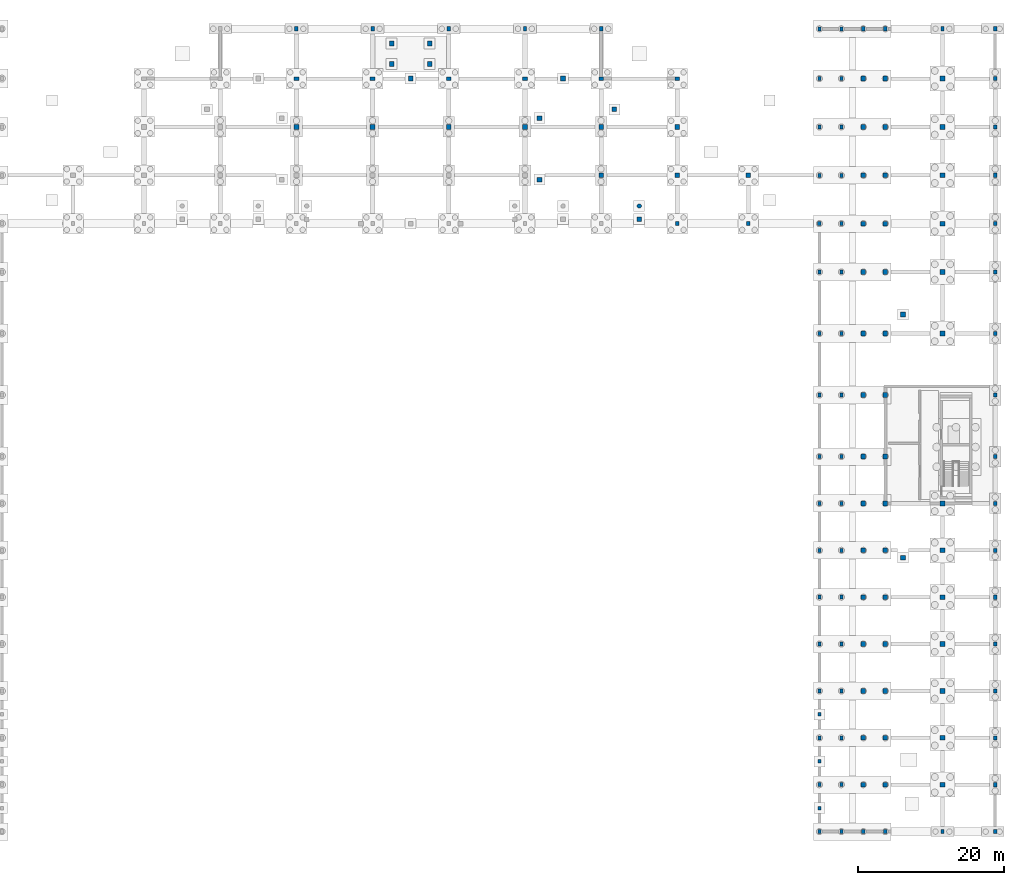
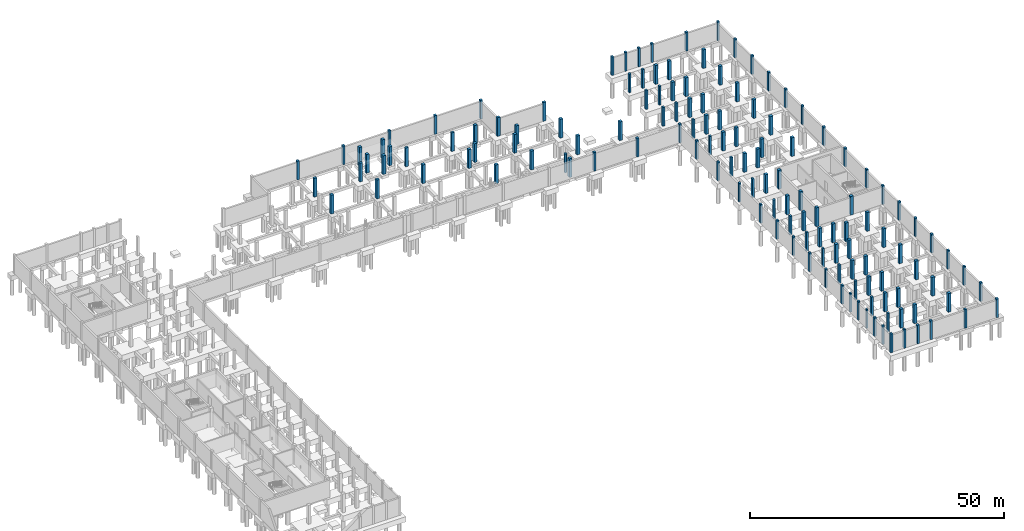
# One storey, part 9 of 21: 138 columns.
"""IFC4 building model written with IfcOpenShell, lengths in metres."""

import ifcopenshell
import ifcopenshell.guid

model = None  # the IFC model being written
_history = None  # IfcOwnerHistory: only IFC2X3 demands one
_inside = {}  # id of a spatial element -> (the spatial element, [elements in it])
_under = {}  # id of a project, library or spatial element -> (it, [spatial elements below it])
_declared = {}  # id of a project -> (the project, [libraries it declares])
_typed = {}  # id of a type object -> (the type object, [elements of that type])
_made_of = {}  # id of a material, layer set ... -> (it, [elements and type objects made of it])


def new_model(schema):
    """Start an empty IFC model of exactly this schema.

    Asked for "IFC4X3", IfcOpenShell would pick the latest addendum, in which some entities
    have other attributes; the version numbers below select the first issue.
    IFC2X3 requires an IfcOwnerHistory on every rooted entity: one is made here for all.
    """
    global model, _history
    if schema == "IFC4X3":
        model = ifcopenshell.file(schema_version=(4, 3, 0, 0))
    else:
        model = ifcopenshell.file(schema=schema)
    _inside.clear()
    _under.clear()
    _declared.clear()
    _typed.clear()
    _made_of.clear()
    _history = None
    if model.schema == "IFC2X3":
        org = make("IfcOrganization", Name="unknown")
        user = make(
            "IfcPersonAndOrganization",
            ThePerson=make("IfcPerson", FamilyName="unknown"),
            TheOrganization=org,
        )
        app = make(
            "IfcApplication",
            ApplicationDeveloper=org,
            Version="unknown",
            ApplicationFullName="unknown",
            ApplicationIdentifier="unknown",
        )
        _history = make(
            "IfcOwnerHistory",
            OwningUser=user,
            OwningApplication=app,
            ChangeAction="ADDED",
            CreationDate=0,
        )
    return model


def make(cls, **values):
    """One entity of the class cls with the attributes given. An attribute that is None is left unset."""
    return model.create_entity(
        cls, **{name: value for name, value in values.items() if value is not None}
    )


def rooted(cls, **values):
    """An entity with a GlobalId (a new one), such as an element, a storey or a relation."""
    return make(cls, GlobalId=ifcopenshell.guid.new(), OwnerHistory=_history, **values)


def si_unit(unit_type, name, prefix=None):
    """IfcSIUnit, for example si_unit("LENGTHUNIT", "METRE", prefix="MILLI")."""
    return make("IfcSIUnit", UnitType=unit_type, Prefix=prefix, Name=name)


def derived_unit(unit_type, elements):
    """IfcDerivedUnit: a product of units, each with its exponent."""
    return make(
        "IfcDerivedUnit",
        Elements=[
            make("IfcDerivedUnitElement", Unit=unit, Exponent=power)
            for unit, power in elements
        ],
        UnitType=unit_type,
    )


def assignment(units):
    """IfcUnitAssignment: the units of a project."""
    return None if units is None else make("IfcUnitAssignment", Units=units)


def point(xyz):
    """IfcCartesianPoint."""
    return None if xyz is None else make("IfcCartesianPoint", Coordinates=xyz)


def direction(xyz):
    """IfcDirection."""
    return None if xyz is None else make("IfcDirection", DirectionRatios=xyz)


def frame(location, z_axis=None, x_axis=None):
    """IfcAxis2Placement3D, a coordinate frame: its origin and axes. An axis left out is left unset."""
    return make(
        "IfcAxis2Placement3D",
        Location=point(location),
        Axis=direction(z_axis),
        RefDirection=direction(x_axis),
    )


def frame_2d(location, x_axis=None):
    """IfcAxis2Placement2D, a coordinate frame in the plane: its origin and x axis."""
    return make(
        "IfcAxis2Placement2D", Location=point(location), RefDirection=direction(x_axis)
    )


def origin():
    """The frame at (0, 0, 0) with its axes left unset."""
    return frame((0.0, 0.0, 0.0))


def origin_2d():
    """The frame at (0, 0) in the plane with its x axis left unset."""
    return frame_2d((0.0, 0.0))


def place(relative_to, where):
    """IfcLocalPlacement: puts the frame where relative to a parent placement (None: the world)."""
    return make(
        "IfcLocalPlacement", PlacementRelTo=relative_to, RelativePlacement=where
    )


def context(
    kind, dimensions, precision=None, world=None, true_north=None, identifier=None
):
    """IfcGeometricRepresentationContext, for example the 3D "Model" context."""
    return make(
        "IfcGeometricRepresentationContext",
        ContextIdentifier=identifier,
        ContextType=kind,
        CoordinateSpaceDimension=dimensions,
        Precision=precision,
        WorldCoordinateSystem=world,
        TrueNorth=true_north,
    )


def subcontext(parent, identifier, kind, view, scale=None):
    """IfcGeometricRepresentationSubContext, for example "Body" below "Model"."""
    return make(
        "IfcGeometricRepresentationSubContext",
        ContextIdentifier=identifier,
        ContextType=kind,
        ParentContext=parent,
        TargetScale=scale,
        TargetView=view,
    )


def project(units=None, contexts=None):
    """IfcProject with its units and contexts."""
    return rooted(
        "IfcProject",
        Name="project",
        RepresentationContexts=contexts,
        UnitsInContext=assignment(units),
    )


def spatial(cls, under=None, at=None, **own):
    """A site, building, storey or space (cls), placed at a placement, below another one or the project."""
    s = rooted(cls, ObjectPlacement=at, **own)
    if under is not None:
        _under.setdefault(under.id(), (under, []))[1].append(s)
    return s


def profile(cls, at=None, kind="AREA", **sizes):
    """A parametric profile (cls). Its sizes go by their IFC names, for example OverallWidth=200.0."""
    return make(cls, ProfileType=kind, Position=at, **sizes)


def rectangle(**sizes):
    """IfcRectangleProfileDef."""
    return profile("IfcRectangleProfileDef", **sizes)


def circle(**sizes):
    """IfcCircleProfileDef."""
    return profile("IfcCircleProfileDef", **sizes)


def extrude(swept, where, along, depth):
    """IfcExtrudedAreaSolid: the profile swept, set in the frame where, extruded along a direction by depth."""
    return make(
        "IfcExtrudedAreaSolid",
        SweptArea=swept,
        Position=where,
        ExtrudedDirection=direction(along),
        Depth=depth,
    )


def shape(context_of_items, identifier, shape_type, items):
    """IfcShapeRepresentation: the items that make up one representation, for example the "Body"."""
    return make(
        "IfcShapeRepresentation",
        ContextOfItems=context_of_items,
        RepresentationIdentifier=identifier,
        RepresentationType=shape_type,
        Items=items,
    )


def material(Name=None, Category=None):
    """IfcMaterial."""
    return make("IfcMaterial", Name=Name, Category=Category)


def material_profile(
    of_material, cross_section, Name=None, Category=None, Priority=None
):
    """IfcMaterialProfile: a cross section and its material."""
    return make(
        "IfcMaterialProfile",
        Name=Name,
        Material=of_material,
        Profile=cross_section,
        Priority=Priority,
        Category=Category,
    )


def profile_set(profiles, Name=None, composite=None):
    """IfcMaterialProfileSet."""
    return make(
        "IfcMaterialProfileSet",
        Name=Name,
        MaterialProfiles=profiles,
        CompositeProfile=composite,
    )


def made_of(thing, what):
    """Note that an element or type object is made of a material, layer set ...; save() writes the relation."""
    if what is not None:
        _made_of.setdefault(what.id(), (what, []))[1].append(thing)
    return thing


def type_object(cls, material=None, **own):
    """A type object (cls), such as IfcWallType, which elements share."""
    return made_of(rooted(cls, **own), material)


def element(
    cls,
    number,
    at=None,
    inside=None,
    cuts=None,
    type_object=None,
    material=None,
    context=None,
    identifier="Body",
    shape_type=None,
    held_by="IfcProductDefinitionShape",
    body=None,
    shapes=None,
    **own,
):
    """One element of the class cls, such as IfcWall. Its Tag is "e" and its number.

    at: its placement. inside: the storey or other place that contains it. cuts: it is an
    opening in that element (IfcRelVoidsElement). A single representation is given by context,
    identifier, shape_type and body (its items); several are given by shapes. held_by: the class
    of the entity that holds the representations. save() writes the other relations.
    """
    e = rooted(cls, Tag="e%d" % number, ObjectPlacement=at, **own)
    if body is not None:
        shapes = [shape(context, identifier, shape_type, body)]
    if shapes is not None:
        e.Representation = make(held_by, Representations=shapes)
    if inside is not None:
        _inside.setdefault(inside.id(), (inside, []))[1].append(e)
    if cuts is not None:
        rooted(
            "IfcRelVoidsElement", RelatingBuildingElement=cuts, RelatedOpeningElement=e
        )
    if type_object is not None:
        _typed.setdefault(type_object.id(), (type_object, []))[1].append(e)
    return made_of(e, material)


def aggregate(whole, parts):
    """IfcRelAggregates: a whole, such as a stair, and the parts it consists of."""
    return rooted("IfcRelAggregates", RelatingObject=whole, RelatedObjects=parts)


def save(model, path):
    """Write the relations noted so far, then the file.

    IfcRelAggregates (storeys below a building ...), IfcRelContainedInSpatialStructure (elements
    in a storey), IfcRelDefinesByType, IfcRelAssociatesMaterial and IfcRelDeclares: one each for
    every whole, place, type object, material and project.
    """
    for whole, parts in _under.values():
        aggregate(whole, parts)
    for where, things in _inside.values():
        rooted(
            "IfcRelContainedInSpatialStructure",
            RelatedElements=things,
            RelatingStructure=where,
        )
    for kind, things in _typed.values():
        rooted("IfcRelDefinesByType", RelatedObjects=things, RelatingType=kind)
    for what, things in _made_of.values():
        rooted("IfcRelAssociatesMaterial", RelatedObjects=things, RelatingMaterial=what)
    for by, libraries in _declared.values():
        rooted("IfcRelDeclares", RelatingContext=by, RelatedDefinitions=libraries)
    model.write(path)


model = new_model("IFC4")

# Units and contexts
model_context = context("Model", 3, precision=1e-05, world=origin(), true_north=direction((0.0, 1.0)))
body_context = subcontext(model_context, "Body", "Model", "MODEL_VIEW")
ifc_project = project(units=[si_unit("LENGTHUNIT", "METRE"), si_unit("AREAUNIT", "SQUARE_METRE"), si_unit("VOLUMEUNIT", "CUBIC_METRE"), si_unit("PLANEANGLEUNIT", "RADIAN"), si_unit("MASSUNIT", "GRAM", prefix="KILO"), derived_unit("THERMALTRANSMITTANCEUNIT", [(si_unit("POWERUNIT", "WATT"), 1), (si_unit("LENGTHUNIT", "METRE"), -2), (si_unit("THERMODYNAMICTEMPERATUREUNIT", "KELVIN"), -1)])], contexts=[model_context])

# Site, building, storey
site_placement = place(None, origin())
site = spatial("IfcSite", under=ifc_project, at=site_placement, CompositionType="ELEMENT")
building_placement = place(site_placement, origin())
building = spatial("IfcBuilding", under=site, at=building_placement, Name="Braskholm Square Health Centre", CompositionType="ELEMENT")
storey_placement = place(building_placement, frame((0.0, 0.0, -4.5)))
storey = spatial("IfcBuildingStorey", under=building, at=storey_placement, Name="B01", CompositionType="ELEMENT", Elevation=-4.5)

# Columns
ifc_material_1 = material(Name="Concrete C40/50 (f'c = 40 MPa)", Category="concrete")
ifc_material_profile_1 = material_profile(ifc_material_1, rectangle(XDim=0.64990234375, YDim=0.5, at=origin_2d()), Name="RC-650X500")
ifc_profile_set_1 = profile_set([ifc_material_profile_1], Name="Concrete C40/50 (f'c = 40 MPa)")
column_type_1 = type_object("IfcColumnType", Name="ColHallPier650x500", PredefinedType="COLUMN", material=ifc_profile_set_1)
for number, where, z_axis, x_axis, name in (
    (1, (68.39990234375, 107.0, 0.0), (0.0, 0.0, 1.0), (1.0, 0.0, 0.0), "Column 10/R B01"),
    (2, (78.800048828125, 107.0, 0.0), (0.0, 0.0, 1.0), (1.0, 0.0, 0.0), "Column 11/R B01"),
    (3, (89.199951171875, 107.0, 0.0), (0.0, 0.0, 1.0), (1.0, 0.0, 0.0), "Column 12/R B01"),
    (4, (99.60009765625, 107.0, 0.0), (0.0, 0.0, 1.0), (1.0, 0.0, 0.0), "Column 13/R B01"),
    (5, (110.0, 107.0, 0.0), (0.0, 0.0, 1.0), (1.0, 0.0, 0.0), "Column 14/R B01"),
    (6, (120.39990234375, 107.0, 0.0), (0.0, 0.0, 1.0), (1.0, 0.0, 0.0), "Column 15/R B01"),
):
    element("IfcColumn", number, at=place(storey_placement, frame(where, z_axis=z_axis, x_axis=x_axis)), inside=storey, type_object=column_type_1, Name=name, PredefinedType="COLUMN", context=body_context, shape_type="SweptSolid", body=[
        extrude(rectangle(XDim=0.64990234375, YDim=0.5, at=origin_2d()), origin(), (0.0, 0.0, 1.0), 4.5),
    ])
ifc_material_profile_2 = material_profile(ifc_material_1, rectangle(XDim=0.64990234375, YDim=0.64990234375, at=origin_2d()), Name="RC-650X650")
ifc_profile_set_2 = profile_set([ifc_material_profile_2], Name="Concrete C40/50 (f'c = 40 MPa)")
column_type_2 = type_object("IfcColumnType", Name="ColInteriorBase650", PredefinedType="COLUMN", material=ifc_profile_set_2)
for number, where, z_axis, x_axis, name in (
    (7, (68.39990234375, 100.39990234375, 0.0), (0.0, 0.0, 1.0), (1.0, 0.0, 0.0), "Column 10/Q B01"),
    (8, (78.800048828125, 100.39990234375, 0.0), (0.0, 0.0, 1.0), (1.0, 0.0, 0.0), "Column 11/Q B01"),
    (9, (89.199951171875, 100.39990234375, 0.0), (0.0, 0.0, 1.0), (1.0, 0.0, 0.0), "Column 12/Q B01"),
    (10, (99.60009765625, 100.39990234375, 0.0), (0.0, 0.0, 1.0), (1.0, 0.0, 0.0), "Column 13/Q B01"),
    (11, (110.0, 93.800048828125, 0.0), (0.0, 0.0, 1.0), (1.0, 0.0, 0.0), "Column 14/P B01"),
    (12, (110.0, 100.39990234375, 0.0), (0.0, 0.0, 1.0), (1.0, 0.0, 0.0), "Column 14/Q B01"),
    (13, (120.39990234375, 93.800048828125, 0.0), (0.0, 0.0, 1.0), (1.0, 0.0, 0.0), "Column 15/P B01"),
    (14, (120.39990234375, 100.39990234375, 0.0), (0.0, 0.0, 1.0), (1.0, 0.0, 0.0), "Column 15/Q B01"),
    (15, (130.10009765625, 93.800048828125, 0.0), (0.0, 0.0, 1.0), (1.0, 0.0, 0.0), "Column 16/P B01"),
    (16, (145.800048828125, 10.60009765625, 0.0), (0.0, 0.0, 1.0), (1.0, 0.0, 0.0), "Column 19/B B01"),
    (17, (145.800048828125, 17.0, 0.0), (0.0, 0.0, 1.0), (1.0, 0.0, 0.0), "Column 19/C B01"),
    (18, (145.800048828125, 23.39990234375, 0.0), (0.0, 0.0, 1.0), (1.0, 0.0, 0.0), "Column 19/D B01"),
    (19, (145.800048828125, 29.800048828125, 0.0), (0.0, 0.0, 1.0), (1.0, 0.0, 0.0), "Column 19/E B01"),
    (20, (145.800048828125, 36.199951171875, 0.0), (0.0, 0.0, 1.0), (1.0, 0.0, 0.0), "Column 19/F B01"),
    (21, (145.800048828125, 42.60009765625, 0.0), (0.0, 0.0, 1.0), (1.0, 0.0, 0.0), "Column 19/G B01"),
    (22, (145.800048828125, 49.0, 0.0), (0.0, 0.0, 1.0), (1.0, 0.0, 0.0), "Column 19/H B01"),
    (23, (145.800048828125, 55.39990234375, 0.0), (0.0, 0.0, 1.0), (1.0, 0.0, 0.0), "Column 19/J B01"),
    (24, (145.800048828125, 63.800048828125, 0.0), (0.0, 0.0, 1.0), (1.0, 0.0, 0.0), "Column 19/K B01"),
    (25, (145.800048828125, 72.199951171875, 0.0), (0.0, 0.0, 1.0), (1.0, 0.0, 0.0), "Column 19/L B01"),
    (26, (145.800048828125, 80.60009765625, 0.0), (0.0, 0.0, 1.0), (1.0, 0.0, 0.0), "Column 19/M B01"),
    (27, (145.800048828125, 87.199951171875, 0.0), (0.0, 0.0, 1.0), (1.0, 0.0, 0.0), "Column 19/N B01"),
    (28, (145.800048828125, 93.800048828125, 0.0), (0.0, 0.0, 1.0), (1.0, 0.0, 0.0), "Column 19/P B01"),
    (29, (145.800048828125, 100.39990234375, 0.0), (0.0, 0.0, 1.0), (1.0, 0.0, 0.0), "Column 19/Q B01"),
    (30, (145.800048828125, 107.0, 0.0), (0.0, 0.0, 1.0), (1.0, 0.0, 0.0), "Column 19/R B01"),
    (31, (148.800048828125, 10.60009765625, 0.0), (0.0, 0.0, 1.0), (1.0, 0.0, 0.0), "Column 20/B B01"),
    (32, (148.800048828125, 17.0, 0.0), (0.0, 0.0, 1.0), (1.0, 0.0, 0.0), "Column 20/C B01"),
    (33, (148.800048828125, 23.39990234375, 0.0), (0.0, 0.0, 1.0), (1.0, 0.0, 0.0), "Column 20/D B01"),
    (34, (148.800048828125, 29.800048828125, 0.0), (0.0, 0.0, 1.0), (1.0, 0.0, 0.0), "Column 20/E B01"),
    (35, (148.800048828125, 36.199951171875, 0.0), (0.0, 0.0, 1.0), (1.0, 0.0, 0.0), "Column 20/F B01"),
    (36, (148.800048828125, 42.60009765625, 0.0), (0.0, 0.0, 1.0), (1.0, 0.0, 0.0), "Column 20/G B01"),
    (37, (148.800048828125, 49.0, 0.0), (0.0, 0.0, 1.0), (1.0, 0.0, 0.0), "Column 20/H B01"),
    (38, (148.800048828125, 55.39990234375, 0.0), (0.0, 0.0, 1.0), (1.0, 0.0, 0.0), "Column 20/J B01"),
    (39, (148.800048828125, 63.800048828125, 0.0), (0.0, 0.0, 1.0), (1.0, 0.0, 0.0), "Column 20/K B01"),
    (40, (148.800048828125, 72.199951171875, 0.0), (0.0, 0.0, 1.0), (1.0, 0.0, 0.0), "Column 20/L B01"),
    (41, (148.800048828125, 80.60009765625, 0.0), (0.0, 0.0, 1.0), (1.0, 0.0, 0.0), "Column 20/M B01"),
    (42, (148.800048828125, 87.199951171875, 0.0), (0.0, 0.0, 1.0), (1.0, 0.0, 0.0), "Column 20/N B01"),
    (43, (148.800048828125, 93.800048828125, 0.0), (0.0, 0.0, 1.0), (1.0, 0.0, 0.0), "Column 20/P B01"),
    (44, (148.800048828125, 100.39990234375, 0.0), (0.0, 0.0, 1.0), (1.0, 0.0, 0.0), "Column 20/Q B01"),
    (45, (148.800048828125, 107.0, 0.0), (0.0, 0.0, 1.0), (1.0, 0.0, 0.0), "Column 20/R B01"),
    (46, (156.60009765625, 10.60009765625, 0.0), (0.0, 0.0, 1.0), (1.0, 0.0, 0.0), "Column 21/B B01"),
    (47, (156.60009765625, 17.0, 0.0), (0.0, 0.0, 1.0), (1.0, 0.0, 0.0), "Column 21/C B01"),
    (48, (156.60009765625, 23.39990234375, 0.0), (0.0, 0.0, 1.0), (1.0, 0.0, 0.0), "Column 21/D B01"),
    (49, (156.60009765625, 29.800048828125, 0.0), (0.0, 0.0, 1.0), (1.0, 0.0, 0.0), "Column 21/E B01"),
    (50, (156.60009765625, 36.199951171875, 0.0), (0.0, 0.0, 1.0), (1.0, 0.0, 0.0), "Column 21/F B01"),
    (51, (156.60009765625, 42.60009765625, 0.0), (0.0, 0.0, 1.0), (1.0, 0.0, 0.0), "Column 21/G B01"),
    (52, (156.60009765625, 49.0, 0.0), (0.0, 0.0, 1.0), (1.0, 0.0, 0.0), "Column 21/H B01"),
    (53, (156.60009765625, 72.199951171875, 0.0), (0.0, 0.0, 1.0), (1.0, 0.0, 0.0), "Column 21/L B01"),
    (54, (156.60009765625, 80.60009765625, 0.0), (0.0, 0.0, 1.0), (1.0, 0.0, 0.0), "Column 21/M B01"),
    (55, (156.60009765625, 87.199951171875, 0.0), (0.0, 0.0, 1.0), (1.0, 0.0, 0.0), "Column 21/N B01"),
    (56, (156.60009765625, 93.800048828125, 0.0), (0.0, 0.0, 1.0), (1.0, 0.0, 0.0), "Column 21/P B01"),
    (57, (156.60009765625, 100.39990234375, 0.0), (0.0, 0.0, 1.0), (1.0, 0.0, 0.0), "Column 21/Q B01"),
    (58, (156.60009765625, 107.0, 0.0), (0.0, 0.0, 1.0), (1.0, 0.0, 0.0), "Column 21/R B01"),
    (59, (115.199951171875, 87.800048828125, 0.0), (0.0, 0.0, 1.0), (1.0, 0.0, 0.0), "Column CS1F B01"),
    (60, (84.0, 107.0, 0.0), (0.0, 0.0, 1.0), (1.0, 0.0, 0.0), "Column CS2E B01"),
    (61, (104.800048828125, 107.0, 0.0), (0.0, 0.0, 1.0), (1.0, 0.0, 0.0), "Column CS2F B01"),
    (62, (101.60009765625, 93.199951171875, 0.0), (0.0, 0.0, 1.0), (1.0, 0.0, 0.0), "Column CS3B B01"),
    (63, (151.199951171875, 41.60009765625, 0.0), (0.0, 0.0, 1.0), (1.0, 0.0, 0.0), "Column CS3D B01"),
    (64, (151.199951171875, 74.800048828125, 0.0), (0.0, 0.0, 1.0), (1.0, 0.0, 0.0), "Column CS3F B01"),
    (65, (111.800048828125, 102.800048828125, 0.0), (0.0, 0.0, 1.0), (1.0, 0.0, 0.0), "Column CS3H B01"),
    (66, (101.60009765625, 101.60009765625, 0.0), (0.0, 0.0, 1.0), (1.0, 0.0, 0.0), "Column CS3K B01"),
    (67, (81.39990234375, 109.0, 0.0), (0.0, 0.0, 1.0), (1.0, 0.0, 0.0), "Pool basin support pier 1"),
    (68, (86.60009765625, 109.0, 0.0), (0.0, 0.0, 1.0), (1.0, 0.0, 0.0), "Pool basin support pier 2"),
    (69, (81.39990234375, 111.800048828125, 0.0), (0.0, 0.0, 1.0), (1.0, 0.0, 0.0), "Pool basin support pier 3"),
    (70, (86.60009765625, 111.800048828125, 0.0), (0.0, 0.0, 1.0), (1.0, 0.0, 0.0), "Pool basin support pier 4"),
):
    element("IfcColumn", number, at=place(storey_placement, frame(where, z_axis=z_axis, x_axis=x_axis)), inside=storey, type_object=column_type_2, Name=name, PredefinedType="COLUMN", context=body_context, shape_type="SweptSolid", body=[
        extrude(rectangle(XDim=0.64990234375, YDim=0.64990234375, at=origin_2d()), origin(), (0.0, 0.0, 1.0), 4.5),
    ])
ifc_material_2 = material(Name="Precast concrete C40/50 architectural white", Category="concrete")
ifc_material_profile_3 = material_profile(ifc_material_2, rectangle(XDim=0.3798828125, YDim=0.47998046875, at=origin_2d()), Name="RC-380X480")
ifc_profile_set_3 = profile_set([ifc_material_profile_3], Name="Precast concrete C40/50 architectural white")
column_type_3 = type_object("IfcColumnType", Name="ColPilasterKasota380x480", PredefinedType="PILASTER", material=ifc_profile_set_3)
for number, where, z_axis, x_axis, name in (
    (71, (139.800048828125, 7.39990234375, 0.0), (0.0, 0.0, 1.0), (1.0, 0.0, 0.0), "Column PIL04 B01"),
    (72, (139.800048828125, 13.800048828125, 0.0), (0.0, 0.0, 1.0), (1.0, 0.0, 0.0), "Column PIL05 B01"),
    (73, (139.800048828125, 20.199951171875, 0.0), (0.0, 0.0, 1.0), (1.0, 0.0, 0.0), "Column PIL06 B01"),
):
    element("IfcColumn", number, at=place(storey_placement, frame(where, z_axis=z_axis, x_axis=x_axis)), inside=storey, type_object=column_type_3, Name=name, PredefinedType="PILASTER", context=body_context, shape_type="SweptSolid", body=[
        extrude(rectangle(XDim=0.3798828125, YDim=0.47998046875, at=origin_2d()), origin(), (0.0, 0.0, 1.0), 4.5),
    ])
ifc_material_profile_4 = material_profile(ifc_material_2, rectangle(XDim=0.43994140625, YDim=0.5400390625, at=origin_2d()), Name="RC-440X540")
ifc_profile_set_4 = profile_set([ifc_material_profile_4], Name="Precast concrete C40/50 architectural white")
column_type_4 = type_object("IfcColumnType", Name="ColPilasterKasota440x540", PredefinedType="PILASTER", material=ifc_profile_set_4)
for number, where, z_axis, x_axis, name in (
    (74, (139.800048828125, 4.199951171875, 0.0), (0.0, 0.0, 1.0), (1.0, 0.0, 0.0), "Column 17/A B01"),
    (75, (139.800048828125, 10.60009765625, 0.0), (0.0, 0.0, 1.0), (1.0, 0.0, 0.0), "Column 17/B B01"),
    (76, (139.800048828125, 17.0, 0.0), (0.0, 0.0, 1.0), (1.0, 0.0, 0.0), "Column 17/C B01"),
    (77, (139.800048828125, 23.39990234375, 0.0), (0.0, 0.0, 1.0), (1.0, 0.0, 0.0), "Column 17/D B01"),
    (78, (139.800048828125, 29.800048828125, 0.0), (0.0, 0.0, 1.0), (1.0, 0.0, 0.0), "Column 17/E B01"),
    (79, (139.800048828125, 36.199951171875, 0.0), (0.0, 0.0, 1.0), (1.0, 0.0, 0.0), "Column 17/F B01"),
    (80, (139.800048828125, 42.60009765625, 0.0), (0.0, 0.0, 1.0), (1.0, 0.0, 0.0), "Column 17/G B01"),
    (81, (139.800048828125, 49.0, 0.0), (0.0, 0.0, 1.0), (1.0, 0.0, 0.0), "Column 17/H B01"),
    (82, (139.800048828125, 55.39990234375, 0.0), (0.0, 0.0, 1.0), (1.0, 0.0, 0.0), "Column 17/J B01"),
    (83, (139.800048828125, 63.800048828125, 0.0), (0.0, 0.0, 1.0), (1.0, 0.0, 0.0), "Column 17/K B01"),
    (84, (139.800048828125, 72.199951171875, 0.0), (0.0, 0.0, 1.0), (1.0, 0.0, 0.0), "Column 17/L B01"),
    (85, (139.800048828125, 80.60009765625, 0.0), (0.0, 0.0, 1.0), (1.0, 0.0, 0.0), "Column 17/M B01"),
    (86, (139.800048828125, 93.800048828125, 0.0), (0.0, 0.0, 1.0), (1.0, 0.0, 0.0), "Column 17/P B01"),
    (87, (139.800048828125, 100.39990234375, 0.0), (0.0, 0.0, 1.0), (1.0, 0.0, 0.0), "Column 17/Q B01"),
    (88, (139.800048828125, 107.0, 0.0), (0.0, 0.0, 1.0), (1.0, 0.0, 0.0), "Column 17/R B01"),
    (89, (139.800048828125, 113.800048828125, 0.0), (0.0, 0.0, 1.0), (1.0, 0.0, 0.0), "Column 17/S B01"),
    (90, (142.800048828125, 4.199951171875, 0.0), (0.0, 0.0, 1.0), (1.0, 0.0, 0.0), "Column 18/A B01"),
    (91, (142.800048828125, 10.60009765625, 0.0), (0.0, 0.0, 1.0), (1.0, 0.0, 0.0), "Column 18/B B01"),
    (92, (142.800048828125, 17.0, 0.0), (0.0, 0.0, 1.0), (1.0, 0.0, 0.0), "Column 18/C B01"),
    (93, (142.800048828125, 23.39990234375, 0.0), (0.0, 0.0, 1.0), (1.0, 0.0, 0.0), "Column 18/D B01"),
    (94, (142.800048828125, 29.800048828125, 0.0), (0.0, 0.0, 1.0), (1.0, 0.0, 0.0), "Column 18/E B01"),
    (95, (142.800048828125, 36.199951171875, 0.0), (0.0, 0.0, 1.0), (1.0, 0.0, 0.0), "Column 18/F B01"),
    (96, (142.800048828125, 42.60009765625, 0.0), (0.0, 0.0, 1.0), (1.0, 0.0, 0.0), "Column 18/G B01"),
    (97, (142.800048828125, 49.0, 0.0), (0.0, 0.0, 1.0), (1.0, 0.0, 0.0), "Column 18/H B01"),
    (98, (142.800048828125, 55.39990234375, 0.0), (0.0, 0.0, 1.0), (1.0, 0.0, 0.0), "Column 18/J B01"),
    (99, (142.800048828125, 63.800048828125, 0.0), (0.0, 0.0, 1.0), (1.0, 0.0, 0.0), "Column 18/K B01"),
    (100, (142.800048828125, 72.199951171875, 0.0), (0.0, 0.0, 1.0), (1.0, 0.0, 0.0), "Column 18/L B01"),
    (101, (142.800048828125, 80.60009765625, 0.0), (0.0, 0.0, 1.0), (1.0, 0.0, 0.0), "Column 18/M B01"),
    (102, (142.800048828125, 87.199951171875, 0.0), (0.0, 0.0, 1.0), (1.0, 0.0, 0.0), "Column 18/N B01"),
    (103, (142.800048828125, 93.800048828125, 0.0), (0.0, 0.0, 1.0), (1.0, 0.0, 0.0), "Column 18/P B01"),
    (104, (142.800048828125, 100.39990234375, 0.0), (0.0, 0.0, 1.0), (1.0, 0.0, 0.0), "Column 18/Q B01"),
    (105, (142.800048828125, 107.0, 0.0), (0.0, 0.0, 1.0), (1.0, 0.0, 0.0), "Column 18/R B01"),
    (106, (142.800048828125, 113.800048828125, 0.0), (0.0, 0.0, 1.0), (1.0, 0.0, 0.0), "Column 18/S B01"),
):
    element("IfcColumn", number, at=place(storey_placement, frame(where, z_axis=z_axis, x_axis=x_axis)), inside=storey, type_object=column_type_4, Name=name, PredefinedType="PILASTER", context=body_context, shape_type="SweptSolid", body=[
        extrude(rectangle(XDim=0.43994140625, YDim=0.5400390625, at=origin_2d()), origin(), (0.0, 0.0, 1.0), 4.5),
    ])
ifc_material_profile_5 = material_profile(ifc_material_2, rectangle(XDim=0.4599609375, YDim=0.56005859375, at=origin_2d()), Name="RC-460X560")
ifc_profile_set_5 = profile_set([ifc_material_profile_5], Name="Precast concrete C40/50 architectural white")
column_type_5 = type_object("IfcColumnType", Name="ColPrecastFrame460x560", PredefinedType="COLUMN", material=ifc_profile_set_5)
for number, where, z_axis, x_axis, name in (
    (107, (68.39990234375, 113.800048828125, 0.0), (0.0, 0.0, 1.0), (1.0, 0.0, 0.0), "Column 10/S B01"),
    (108, (78.800048828125, 113.800048828125, 0.0), (0.0, 0.0, 1.0), (1.0, 0.0, 0.0), "Column 11/S B01"),
    (109, (89.199951171875, 113.800048828125, 0.0), (0.0, 0.0, 1.0), (1.0, 0.0, 0.0), "Column 12/S B01"),
    (110, (99.60009765625, 113.800048828125, 0.0), (0.0, 0.0, 1.0), (1.0, 0.0, 0.0), "Column 13/S B01"),
    (111, (110.0, 113.800048828125, 0.0), (0.0, 0.0, 1.0), (1.0, 0.0, 0.0), "Column 14/S B01"),
    (112, (120.39990234375, 87.199951171875, 0.0), (0.0, 0.0, 1.0), (1.0, 0.0, 0.0), "Column 15/N B01"),
    (113, (130.10009765625, 87.199951171875, 0.0), (0.0, 0.0, 1.0), (1.0, 0.0, 0.0), "Column 16/N B01"),
    (114, (139.800048828125, 87.199951171875, 0.0), (0.0, 0.0, 1.0), (1.0, 0.0, 0.0), "Column 17/N B01"),
    (115, (145.800048828125, 4.199951171875, 0.0), (0.0, 0.0, 1.0), (1.0, 0.0, 0.0), "Column 19/A B01"),
    (116, (145.800048828125, 113.800048828125, 0.0), (0.0, 0.0, 1.0), (1.0, 0.0, 0.0), "Column 19/S B01"),
    (117, (148.800048828125, 4.199951171875, 0.0), (0.0, 0.0, 1.0), (1.0, 0.0, 0.0), "Column 20/A B01"),
    (118, (148.800048828125, 113.800048828125, 0.0), (0.0, 0.0, 1.0), (1.0, 0.0, 0.0), "Column 20/S B01"),
    (119, (156.60009765625, 4.199951171875, 0.0), (0.0, 0.0, 1.0), (1.0, 0.0, 0.0), "Column 21/A B01"),
    (120, (156.60009765625, 113.800048828125, 0.0), (0.0, 0.0, 1.0), (1.0, 0.0, 0.0), "Column 21/S B01"),
    (121, (163.800048828125, 4.199951171875, 0.0), (0.0, 0.0, 1.0), (1.0, 0.0, 0.0), "Column 22/A B01"),
    (122, (163.800048828125, 10.60009765625, 0.0), (0.0, 0.0, 1.0), (1.0, 0.0, 0.0), "Column 22/B B01"),
    (123, (163.800048828125, 17.0, 0.0), (0.0, 0.0, 1.0), (1.0, 0.0, 0.0), "Column 22/C B01"),
    (124, (163.800048828125, 23.39990234375, 0.0), (0.0, 0.0, 1.0), (1.0, 0.0, 0.0), "Column 22/D B01"),
    (125, (163.800048828125, 29.800048828125, 0.0), (0.0, 0.0, 1.0), (1.0, 0.0, 0.0), "Column 22/E B01"),
    (126, (163.800048828125, 36.199951171875, 0.0), (0.0, 0.0, 1.0), (1.0, 0.0, 0.0), "Column 22/F B01"),
    (127, (163.800048828125, 42.60009765625, 0.0), (0.0, 0.0, 1.0), (1.0, 0.0, 0.0), "Column 22/G B01"),
    (128, (163.800048828125, 49.0, 0.0), (0.0, 0.0, 1.0), (1.0, 0.0, 0.0), "Column 22/H B01"),
    (129, (163.800048828125, 55.39990234375, 0.0), (0.0, 0.0, 1.0), (1.0, 0.0, 0.0), "Column 22/J B01"),
    (130, (163.800048828125, 63.800048828125, 0.0), (0.0, 0.0, 1.0), (1.0, 0.0, 0.0), "Column 22/K B01"),
    (131, (163.800048828125, 72.199951171875, 0.0), (0.0, 0.0, 1.0), (1.0, 0.0, 0.0), "Column 22/L B01"),
    (132, (163.800048828125, 80.60009765625, 0.0), (0.0, 0.0, 1.0), (1.0, 0.0, 0.0), "Column 22/M B01"),
    (133, (163.800048828125, 87.199951171875, 0.0), (0.0, 0.0, 1.0), (1.0, 0.0, 0.0), "Column 22/N B01"),
    (134, (163.800048828125, 93.800048828125, 0.0), (0.0, 0.0, 1.0), (1.0, 0.0, 0.0), "Column 22/P B01"),
    (135, (163.800048828125, 100.39990234375, 0.0), (0.0, 0.0, 1.0), (1.0, 0.0, 0.0), "Column 22/Q B01"),
    (136, (163.800048828125, 107.0, 0.0), (0.0, 0.0, 1.0), (1.0, 0.0, 0.0), "Column 22/R B01"),
    (137, (163.800048828125, 113.800048828125, 0.0), (0.0, 0.0, 1.0), (1.0, 0.0, 0.0), "Column 22/S B01"),
):
    element("IfcColumn", number, at=place(storey_placement, frame(where, z_axis=z_axis, x_axis=x_axis)), inside=storey, type_object=column_type_5, Name=name, PredefinedType="COLUMN", context=body_context, shape_type="SweptSolid", body=[
        extrude(rectangle(XDim=0.4599609375, YDim=0.56005859375, at=origin_2d()), origin(), (0.0, 0.0, 1.0), 4.5),
    ])
ifc_material_profile_6 = material_profile(ifc_material_1, circle(Radius=0.300048828125, at=origin_2d()), Name="RC-RND-600")
ifc_profile_set_6 = profile_set([ifc_material_profile_6], Name="Concrete C40/50 (f'c = 40 MPa)")
column_type_6 = type_object("IfcColumnType", Name="ColRoundConcourse600", PredefinedType="COLUMN", material=ifc_profile_set_6)
column_placement = place(storey_placement, frame((115.199951171875, 89.60009765625, 0.0), z_axis=(0.0, 0.0, 1.0), x_axis=(1.0, 0.0, 0.0)))
element("IfcColumn", 138, at=column_placement, inside=storey, type_object=column_type_6, Name="Column RC06 B01", PredefinedType="COLUMN", context=body_context, shape_type="SweptSolid", body=[
    extrude(circle(Radius=0.300048828125, at=origin_2d()), origin(), (0.0, 0.0, 1.0), 4.5),
])

save(model, "model.ifc")
